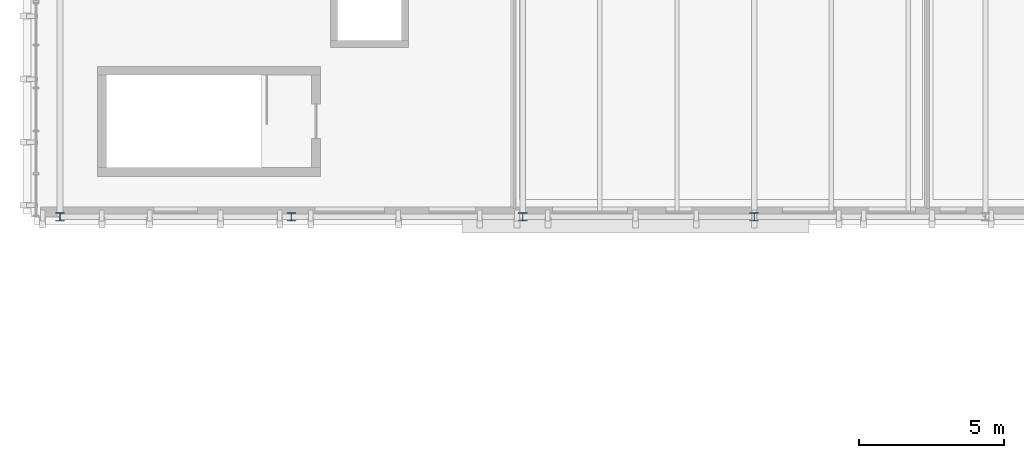
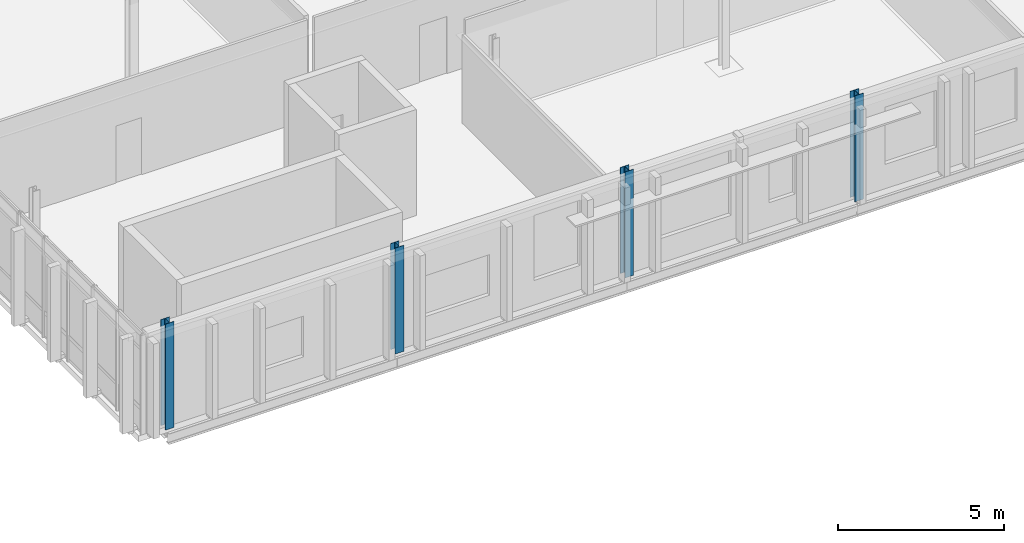
# One storey, part 2 of 40: 4 columns.
"""IFC4 building model written with IfcOpenShell, lengths in metres."""

from ifc_helpers import new_model, si_unit, direction, frame, origin, origin_2d, place, context, subcontext, project, spatial, i_section, extrude, material, material_profile, profile_set, type_object, element, save


model = new_model("IFC4")

# Units and contexts
model_context = context("Model", 3, precision=1e-05, world=origin(), true_north=direction((0.0, 1.0)))
body_context = subcontext(model_context, "Body", "Model", "MODEL_VIEW")
ifc_project = project(units=[si_unit("LENGTHUNIT", "METRE"), si_unit("AREAUNIT", "SQUARE_METRE"), si_unit("VOLUMEUNIT", "CUBIC_METRE"), si_unit("PLANEANGLEUNIT", "RADIAN"), si_unit("MASSUNIT", "GRAM", prefix="KILO")], contexts=[model_context])

# Site, building, storey
site_placement = place(None, origin())
site = spatial("IfcSite", under=ifc_project, at=site_placement, CompositionType="ELEMENT")
building_placement = place(site_placement, origin())
building = spatial("IfcBuilding", under=site, at=building_placement, Name="Cymarion Research Institute", CompositionType="ELEMENT")
storey_placement = place(building_placement, frame((0.0, 0.0, 26.699951171875)))
storey = spatial("IfcBuildingStorey", under=building, at=storey_placement, Name="L06", CompositionType="ELEMENT", Elevation=26.699951171875)

# Columns
ifc_material = material(Name="Steel S355", Category="steel")
ifc_material_profile = material_profile(ifc_material, i_section(OverallWidth=0.300048828125, OverallDepth=0.2900390625, WebThickness=0.008544921875, FlangeThickness=0.013916015625, FilletRadius=0.027099609375, at=origin_2d()), Name="HEA 300")
ifc_profile_set = profile_set([ifc_material_profile], Name="Steel S355")
column_type = type_object("IfcColumnType", Name="STRUCTURAL COLUMN C13 HEA 300", PredefinedType="COLUMN", material=ifc_profile_set)
for number, where, z_axis, x_axis, name in (
    (1, (6.60009765625, 93.5, 0.0), (0.0, 0.0, 1.0), (1.0, 0.0, 0.0), "L06 V5 column C13 #1178"),
    (2, (14.60009765625, 93.5, 0.0), (0.0, 0.0, 1.0), (1.0, 0.0, 0.0), "L06 V5 column C13 #1186"),
    (3, (22.60009765625, 93.5, 0.0), (0.0, 0.0, 1.0), (1.0, 0.0, 0.0), "L06 V5 column C13 #1193"),
    (4, (30.60009765625, 93.5, 0.0), (0.0, 0.0, 1.0), (1.0, 0.0, 0.0), "L06 V5 column C13 #1201"),
):
    element("IfcColumn", number, at=place(storey_placement, frame(where, z_axis=z_axis, x_axis=x_axis)), inside=storey, type_object=column_type, Name=name, PredefinedType="COLUMN", context=body_context, shape_type="SweptSolid", body=[
        extrude(i_section(OverallWidth=0.300048828125, OverallDepth=0.2900390625, WebThickness=0.008544921875, FlangeThickness=0.013916015625, FilletRadius=0.027099609375, at=origin_2d()), origin(), (0.0, 0.0, 1.0), 3.900146484375),
    ])

save(model, "model.ifc")
